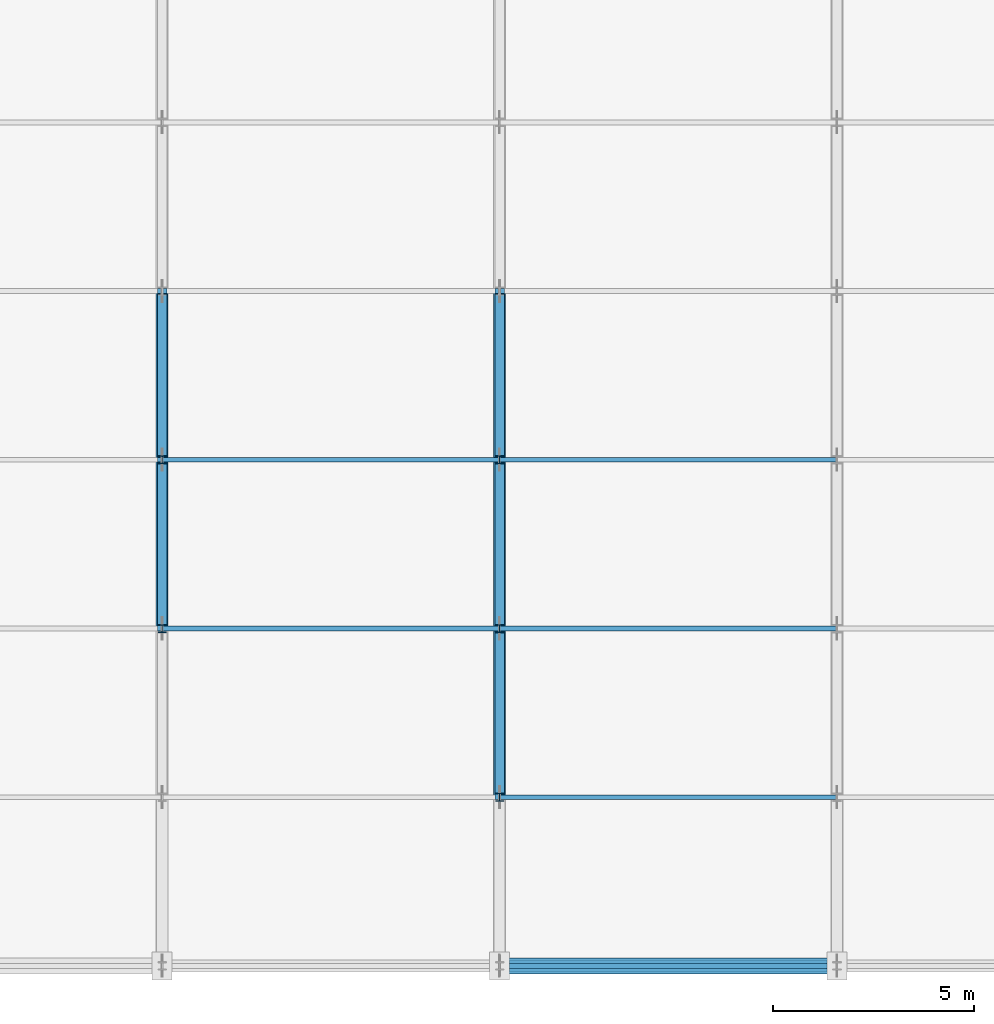
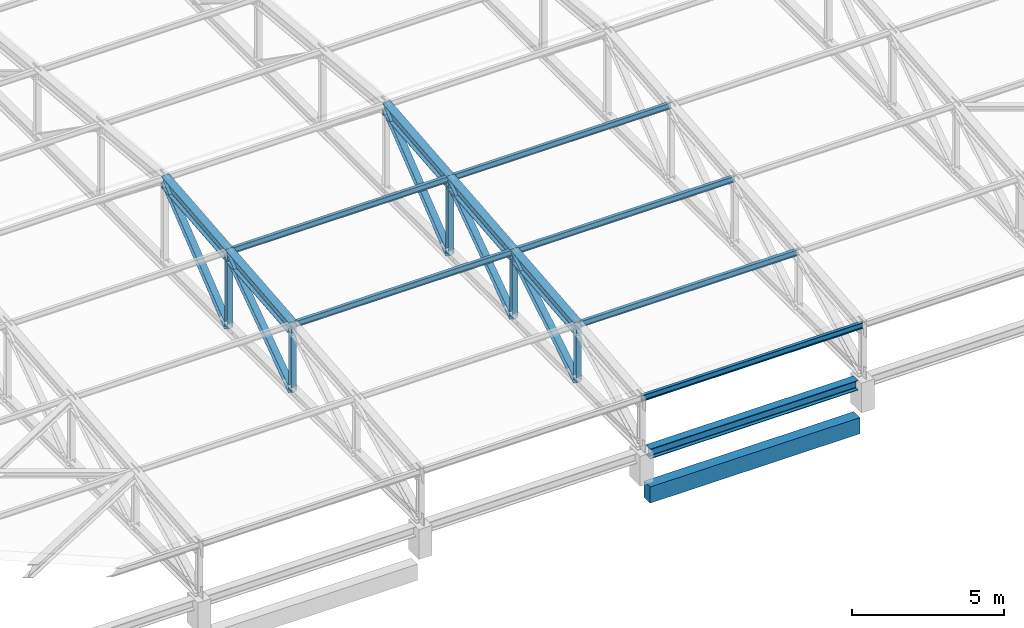
# One storey, part 13 of 74: 16 members, 7 beams.
"""IFC4 building model written with IfcOpenShell, lengths in metres."""

from ifc_helpers import new_model, si_unit, derived_unit, direction, frame, origin, origin_2d, place, context, subcontext, project, spatial, rectangle, i_section, extrude, material, material_profile, profile_set, type_object, element, save


model = new_model("IFC4")

# Units and contexts
model_context = context("Model", 3, precision=1e-05, world=origin(), true_north=direction((0.0, 1.0)))
body_context = subcontext(model_context, "Body", "Model", "MODEL_VIEW")
ifc_project = project(units=[si_unit("LENGTHUNIT", "METRE"), si_unit("AREAUNIT", "SQUARE_METRE"), si_unit("VOLUMEUNIT", "CUBIC_METRE"), si_unit("PLANEANGLEUNIT", "RADIAN"), si_unit("MASSUNIT", "GRAM", prefix="KILO"), derived_unit("THERMALTRANSMITTANCEUNIT", [(si_unit("POWERUNIT", "WATT"), 1), (si_unit("LENGTHUNIT", "METRE"), -2), (si_unit("THERMODYNAMICTEMPERATUREUNIT", "KELVIN"), -1)])], contexts=[model_context])

# Site, building, storey
site_placement = place(None, origin())
site = spatial("IfcSite", under=ifc_project, at=site_placement, CompositionType="ELEMENT")
building_placement = place(site_placement, origin())
building = spatial("IfcBuilding", under=site, at=building_placement, Name="Elbkamm Science Centre", CompositionType="ELEMENT")
storey_placement = place(building_placement, frame((0.0, 0.0, 14.39990234375)))
storey = spatial("IfcBuildingStorey", under=building, at=storey_placement, Name="L03", CompositionType="ELEMENT", Elevation=14.39990234375)

# Beams
ifc_material_1 = material(Name="Concrete C40/50", Category="concrete")
ifc_material_profile_1 = material_profile(ifc_material_1, rectangle(XDim=0.39990234375, YDim=0.64990234375, at=origin_2d()), Name="RC 400x650")
ifc_profile_set_1 = profile_set([ifc_material_profile_1], Name="Concrete C40/50")
beam_type_1 = type_object("IfcBeamType", Name="BM-RC-400x650", PredefinedType="BEAM", material=ifc_profile_set_1)
beam_1_placement = place(storey_placement, frame((92.6201171875, 0.0, -0.60498046875), z_axis=(1.0, 0.0, 0.0), x_axis=(0.0, 1.0, 0.0)))
element("IfcBeam", 1, at=beam_1_placement, inside=storey, type_object=beam_type_1, Name="L03 Perimeter Ring Tie Girder 053", PredefinedType="BEAM", context=body_context, shape_type="SweptSolid", body=[
    extrude(rectangle(XDim=0.39990234375, YDim=0.64990234375, at=origin_2d()), origin(), (0.0, 0.0, 1.0), 7.9599609375),
])
ifc_material_2 = material(Name="Steel EN 10025-2 S355J2", Category="steel")
ifc_material_profile_2 = material_profile(ifc_material_2, i_section(OverallWidth=0.300048828125, OverallDepth=0.39990234375, WebThickness=0.013427734375, FlangeThickness=0.02392578125, FilletRadius=0.027099609375, at=origin_2d()), Name="HEB 400")
ifc_profile_set_2 = profile_set([ifc_material_profile_2], Name="Steel EN 10025-2 S355J2")
beam_type_2 = type_object("IfcBeamType", Name="BM-STL-HEB400", PredefinedType="BEAM", material=ifc_profile_set_2)
beam_2_placement = place(storey_placement, frame((92.64990234375, 0.0, 1.0), z_axis=(1.0, 0.0, 0.0), x_axis=(0.0, 1.0, 0.0)))
element("IfcBeam", 2, at=beam_2_placement, inside=storey, type_object=beam_type_2, Name="Theatre Eave Tie Girder S04", PredefinedType="SPANDREL", context=body_context, shape_type="SweptSolid", body=[
    extrude(i_section(OverallWidth=0.300048828125, OverallDepth=0.39990234375, WebThickness=0.013427734375, FlangeThickness=0.02392578125, FilletRadius=0.027099609375, at=origin_2d()), origin(), (0.0, 0.0, 1.0), 7.900146484375),
])
ifc_material_profile_3 = material_profile(ifc_material_2, i_section(OverallWidth=0.300048828125, OverallDepth=0.449951171875, WebThickness=0.013916015625, FlangeThickness=0.02587890625, FilletRadius=0.027099609375, at=origin_2d()), Name="HEB 450")
ifc_profile_set_3 = profile_set([ifc_material_profile_3], Name="Steel EN 10025-2 S355J2")
beam_type_3 = type_object("IfcBeamType", Name="BM-STL-HEB450", PredefinedType="BEAM", material=ifc_profile_set_3)
beam_3_placement = place(storey_placement, frame((84.0, 8.39990234375, 3.951171875), z_axis=(0.0, 0.995563356829, 0.094093583946), x_axis=(-1.0, 0.0, 0.0)))
element("IfcBeam", 3, at=beam_3_placement, inside=storey, type_object=beam_type_3, Name="Theatre Steel Truss 03 Top Chord 3", PredefinedType="BEAM", context=body_context, shape_type="SweptSolid", body=[
    extrude(i_section(OverallWidth=0.300048828125, OverallDepth=0.449951171875, WebThickness=0.013916015625, FlangeThickness=0.02587890625, FilletRadius=0.027099609375, at=origin_2d()), origin(), (0.0, 0.0, 1.0), 4.218994140625),
])
for number, where, z_axis, x_axis, name in (
    (4, (84.0, 12.60009765625, 4.34814453125), (0.0, 0.995562844443, 0.094099005119), (-1.0, 0.0, 0.0), "Theatre Steel Truss 03 Top Chord 4"),
    (5, (92.39990234375, 4.199951171875, 3.553955078125), (0.0, 0.995557421336, 0.094156363687), (-1.0, 0.0, 0.0), "Theatre Steel Truss 04 Top Chord 2"),
):
    element("IfcBeam", number, at=place(storey_placement, frame(where, z_axis=z_axis, x_axis=x_axis)), inside=storey, type_object=beam_type_3, Name=name, PredefinedType="BEAM", context=body_context, shape_type="SweptSolid", body=[
        extrude(i_section(OverallWidth=0.300048828125, OverallDepth=0.449951171875, WebThickness=0.013916015625, FlangeThickness=0.02587890625, FilletRadius=0.027099609375, at=origin_2d()), origin(), (0.0, 0.0, 1.0), 4.21875),
    ])
beam_4_placement = place(storey_placement, frame((92.39990234375, 8.39990234375, 3.951171875), z_axis=(0.0, 0.995563356829, 0.094093583946), x_axis=(-1.0, 0.0, 0.0)))
element("IfcBeam", 6, at=beam_4_placement, inside=storey, type_object=beam_type_3, Name="Theatre Steel Truss 04 Top Chord 3", PredefinedType="BEAM", context=body_context, shape_type="SweptSolid", body=[
    extrude(i_section(OverallWidth=0.300048828125, OverallDepth=0.449951171875, WebThickness=0.013916015625, FlangeThickness=0.02587890625, FilletRadius=0.027099609375, at=origin_2d()), origin(), (0.0, 0.0, 1.0), 4.218994140625),
])
beam_5_placement = place(storey_placement, frame((92.39990234375, 12.60009765625, 4.34814453125), z_axis=(0.0, 0.995562844443, 0.094099005119), x_axis=(-1.0, 0.0, 0.0)))
element("IfcBeam", 7, at=beam_5_placement, inside=storey, type_object=beam_type_3, Name="Theatre Steel Truss 04 Top Chord 4", PredefinedType="BEAM", context=body_context, shape_type="SweptSolid", body=[
    extrude(i_section(OverallWidth=0.300048828125, OverallDepth=0.449951171875, WebThickness=0.013916015625, FlangeThickness=0.02587890625, FilletRadius=0.027099609375, at=origin_2d()), origin(), (0.0, 0.0, 1.0), 4.21875),
])

# Members
ifc_material_profile_4 = material_profile(ifc_material_2, i_section(OverallWidth=0.239990234375, OverallDepth=0.22998046875, WebThickness=0.007568359375, FlangeThickness=0.011962890625, FilletRadius=0.02099609375, at=origin_2d()), Name="HEA 240")
ifc_profile_set_4 = profile_set([ifc_material_profile_4], Name="Steel EN 10025-2 S355J2")
member_type_1 = type_object("IfcMemberType", Name="MEM-BRACE-HEA240", PredefinedType="BRACE", material=ifc_profile_set_4)
member_1_placement = place(storey_placement, frame((84.0, 8.39990234375, 1.400146484375), z_axis=(0.0, 0.818511556226, 0.574490062859), x_axis=(-1.0, 0.0, 0.0)))
element("IfcMember", 8, at=member_1_placement, inside=storey, type_object=member_type_1, Name="Theatre Steel Truss 03 Diagonal Brace 3", PredefinedType="BRACE", context=body_context, shape_type="SweptSolid", body=[
    extrude(i_section(OverallWidth=0.239990234375, OverallDepth=0.22998046875, WebThickness=0.007568359375, FlangeThickness=0.011962890625, FilletRadius=0.02099609375, at=origin_2d()), origin(), (0.0, 0.0, 1.0), 5.131591796875),
])
member_2_placement = place(storey_placement, frame((84.0, 12.60009765625, 1.400146484375), z_axis=(0.0, 0.782228850419, 0.62299119221), x_axis=(-1.0, 0.0, 0.0)))
element("IfcMember", 9, at=member_2_placement, inside=storey, type_object=member_type_1, Name="Theatre Steel Truss 03 Diagonal Brace 4", PredefinedType="BRACE", context=body_context, shape_type="SweptSolid", body=[
    extrude(i_section(OverallWidth=0.239990234375, OverallDepth=0.22998046875, WebThickness=0.007568359375, FlangeThickness=0.011962890625, FilletRadius=0.02099609375, at=origin_2d()), origin(), (0.0, 0.0, 1.0), 5.369140625),
])
member_3_placement = place(storey_placement, frame((92.39990234375, 4.199951171875, 1.400146484375), z_axis=(0.0, 0.854692256273, 0.519134998884), x_axis=(-1.0, 0.0, 0.0)))
element("IfcMember", 10, at=member_3_placement, inside=storey, type_object=member_type_1, Name="Theatre Steel Truss 04 Diagonal Brace 2", PredefinedType="BRACE", context=body_context, shape_type="SweptSolid", body=[
    extrude(i_section(OverallWidth=0.239990234375, OverallDepth=0.22998046875, WebThickness=0.007568359375, FlangeThickness=0.011962890625, FilletRadius=0.02099609375, at=origin_2d()), origin(), (0.0, 0.0, 1.0), 4.9140625),
])
member_4_placement = place(storey_placement, frame((92.39990234375, 8.39990234375, 1.400146484375), z_axis=(0.0, 0.818511556226, 0.574490062859), x_axis=(-1.0, 0.0, 0.0)))
element("IfcMember", 11, at=member_4_placement, inside=storey, type_object=member_type_1, Name="Theatre Steel Truss 04 Diagonal Brace 3", PredefinedType="BRACE", context=body_context, shape_type="SweptSolid", body=[
    extrude(i_section(OverallWidth=0.239990234375, OverallDepth=0.22998046875, WebThickness=0.007568359375, FlangeThickness=0.011962890625, FilletRadius=0.02099609375, at=origin_2d()), origin(), (0.0, 0.0, 1.0), 5.131591796875),
])
member_5_placement = place(storey_placement, frame((92.39990234375, 12.60009765625, 1.400146484375), z_axis=(0.0, 0.782228850419, 0.62299119221), x_axis=(-1.0, 0.0, 0.0)))
element("IfcMember", 12, at=member_5_placement, inside=storey, type_object=member_type_1, Name="Theatre Steel Truss 04 Diagonal Brace 4", PredefinedType="BRACE", context=body_context, shape_type="SweptSolid", body=[
    extrude(i_section(OverallWidth=0.239990234375, OverallDepth=0.22998046875, WebThickness=0.007568359375, FlangeThickness=0.011962890625, FilletRadius=0.02099609375, at=origin_2d()), origin(), (0.0, 0.0, 1.0), 5.369140625),
])
ifc_material_profile_5 = material_profile(ifc_material_2, i_section(OverallWidth=0.1201171875, OverallDepth=0.239990234375, WebThickness=0.006103515625, FlangeThickness=0.009765625, FilletRadius=0.014892578125, at=origin_2d()), Name="IPE 240")
ifc_profile_set_5 = profile_set([ifc_material_profile_5], Name="Steel EN 10025-2 S355J2")
member_type_2 = type_object("IfcMemberType", Name="MEM-PURLIN-IPE240", PredefinedType="PURLIN", material=ifc_profile_set_5)
for number, where, z_axis, x_axis, name in (
    (13, (84.0, 8.39990234375, 4.051025390625), (1.0, 0.0, 0.0), (0.0, 1.0, 0.0), "Theatre Roof Purlin Bay 3-3"),
    (14, (84.0, 12.60009765625, 4.447998046875), (1.0, 0.0, 0.0), (0.0, 1.0, 0.0), "Theatre Roof Purlin Bay 3-4"),
):
    element("IfcMember", number, at=place(storey_placement, frame(where, z_axis=z_axis, x_axis=x_axis)), inside=storey, type_object=member_type_2, Name=name, PredefinedType="PURLIN", context=body_context, shape_type="SweptSolid", body=[
        extrude(i_section(OverallWidth=0.1201171875, OverallDepth=0.239990234375, WebThickness=0.006103515625, FlangeThickness=0.009765625, FilletRadius=0.014892578125, at=origin_2d()), origin(), (0.0, 0.0, 1.0), 8.39990234375),
    ])
for number, where, z_axis, x_axis, name in (
    (15, (92.39990234375, 0.0, 3.257080078125), (1.0, 0.0, 0.0), (0.0, 1.0, 0.0), "Theatre Roof Purlin Bay 4-1"),
    (16, (92.39990234375, 4.199951171875, 3.654052734375), (1.0, 0.0, 0.0), (0.0, 1.0, 0.0), "Theatre Roof Purlin Bay 4-2"),
    (17, (92.39990234375, 8.39990234375, 4.051025390625), (1.0, 0.0, 0.0), (0.0, 1.0, 0.0), "Theatre Roof Purlin Bay 4-3"),
    (18, (92.39990234375, 12.60009765625, 4.447998046875), (1.0, 0.0, 0.0), (0.0, 1.0, 0.0), "Theatre Roof Purlin Bay 4-4"),
):
    element("IfcMember", number, at=place(storey_placement, frame(where, z_axis=z_axis, x_axis=x_axis)), inside=storey, type_object=member_type_2, Name=name, PredefinedType="PURLIN", context=body_context, shape_type="SweptSolid", body=[
        extrude(i_section(OverallWidth=0.1201171875, OverallDepth=0.239990234375, WebThickness=0.006103515625, FlangeThickness=0.009765625, FilletRadius=0.014892578125, at=origin_2d()), origin(), (0.0, 0.0, 1.0), 8.400146484375),
    ])
ifc_material_profile_6 = material_profile(ifc_material_2, i_section(OverallWidth=0.199951171875, OverallDepth=0.199951171875, WebThickness=0.009033203125, FlangeThickness=0.014892578125, FilletRadius=0.01806640625, at=origin_2d()), Name="HEB 200")
ifc_profile_set_6 = profile_set([ifc_material_profile_6], Name="Steel EN 10025-2 S355J2")
member_type_3 = type_object("IfcMemberType", Name="MEM-STRUT-HEB200", PredefinedType="STRUT", material=ifc_profile_set_6)
member_6_placement = place(storey_placement, frame((84.0, 8.39990234375, 1.400146484375), z_axis=(0.0, 0.0, 1.0), x_axis=(1.0, 0.0, 0.0)))
element("IfcMember", 19, at=member_6_placement, inside=storey, type_object=member_type_3, Name="Theatre Steel Truss 03 Vertical Strut 3", PredefinedType="STRUT", context=body_context, shape_type="SweptSolid", body=[
    extrude(i_section(OverallWidth=0.199951171875, OverallDepth=0.199951171875, WebThickness=0.009033203125, FlangeThickness=0.014892578125, FilletRadius=0.01806640625, at=origin_2d()), origin(), (0.0, 0.0, 1.0), 2.551025390625),
])
member_7_placement = place(storey_placement, frame((84.0, 12.60009765625, 1.400146484375), z_axis=(0.0, 0.0, 1.0), x_axis=(1.0, 0.0, 0.0)))
element("IfcMember", 20, at=member_7_placement, inside=storey, type_object=member_type_3, Name="Theatre Steel Truss 03 Vertical Strut 4", PredefinedType="STRUT", context=body_context, shape_type="SweptSolid", body=[
    extrude(i_section(OverallWidth=0.199951171875, OverallDepth=0.199951171875, WebThickness=0.009033203125, FlangeThickness=0.014892578125, FilletRadius=0.01806640625, at=origin_2d()), origin(), (0.0, 0.0, 1.0), 2.947998046875),
])
member_8_placement = place(storey_placement, frame((92.39990234375, 4.199951171875, 1.400146484375), z_axis=(0.0, 0.0, 1.0), x_axis=(1.0, 0.0, 0.0)))
element("IfcMember", 21, at=member_8_placement, inside=storey, type_object=member_type_3, Name="Theatre Steel Truss 04 Vertical Strut 2", PredefinedType="STRUT", context=body_context, shape_type="SweptSolid", body=[
    extrude(i_section(OverallWidth=0.199951171875, OverallDepth=0.199951171875, WebThickness=0.009033203125, FlangeThickness=0.014892578125, FilletRadius=0.01806640625, at=origin_2d()), origin(), (0.0, 0.0, 1.0), 2.15380859375),
])
member_9_placement = place(storey_placement, frame((92.39990234375, 8.39990234375, 1.400146484375), z_axis=(0.0, 0.0, 1.0), x_axis=(1.0, 0.0, 0.0)))
element("IfcMember", 22, at=member_9_placement, inside=storey, type_object=member_type_3, Name="Theatre Steel Truss 04 Vertical Strut 3", PredefinedType="STRUT", context=body_context, shape_type="SweptSolid", body=[
    extrude(i_section(OverallWidth=0.199951171875, OverallDepth=0.199951171875, WebThickness=0.009033203125, FlangeThickness=0.014892578125, FilletRadius=0.01806640625, at=origin_2d()), origin(), (0.0, 0.0, 1.0), 2.551025390625),
])
member_10_placement = place(storey_placement, frame((92.39990234375, 12.60009765625, 1.400146484375), z_axis=(0.0, 0.0, 1.0), x_axis=(1.0, 0.0, 0.0)))
element("IfcMember", 23, at=member_10_placement, inside=storey, type_object=member_type_3, Name="Theatre Steel Truss 04 Vertical Strut 4", PredefinedType="STRUT", context=body_context, shape_type="SweptSolid", body=[
    extrude(i_section(OverallWidth=0.199951171875, OverallDepth=0.199951171875, WebThickness=0.009033203125, FlangeThickness=0.014892578125, FilletRadius=0.01806640625, at=origin_2d()), origin(), (0.0, 0.0, 1.0), 2.947998046875),
])

save(model, "model.ifc")
